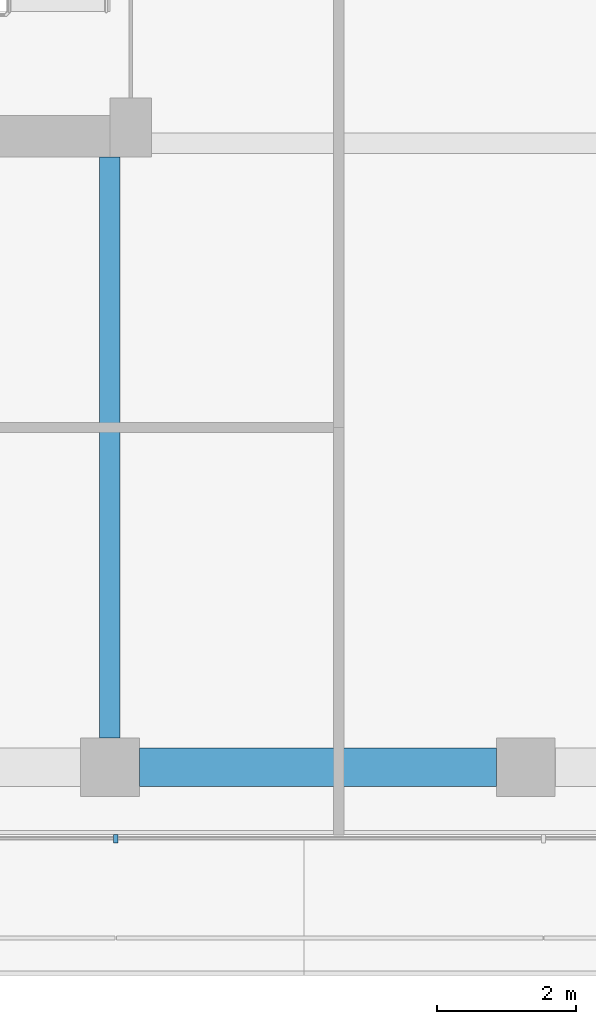
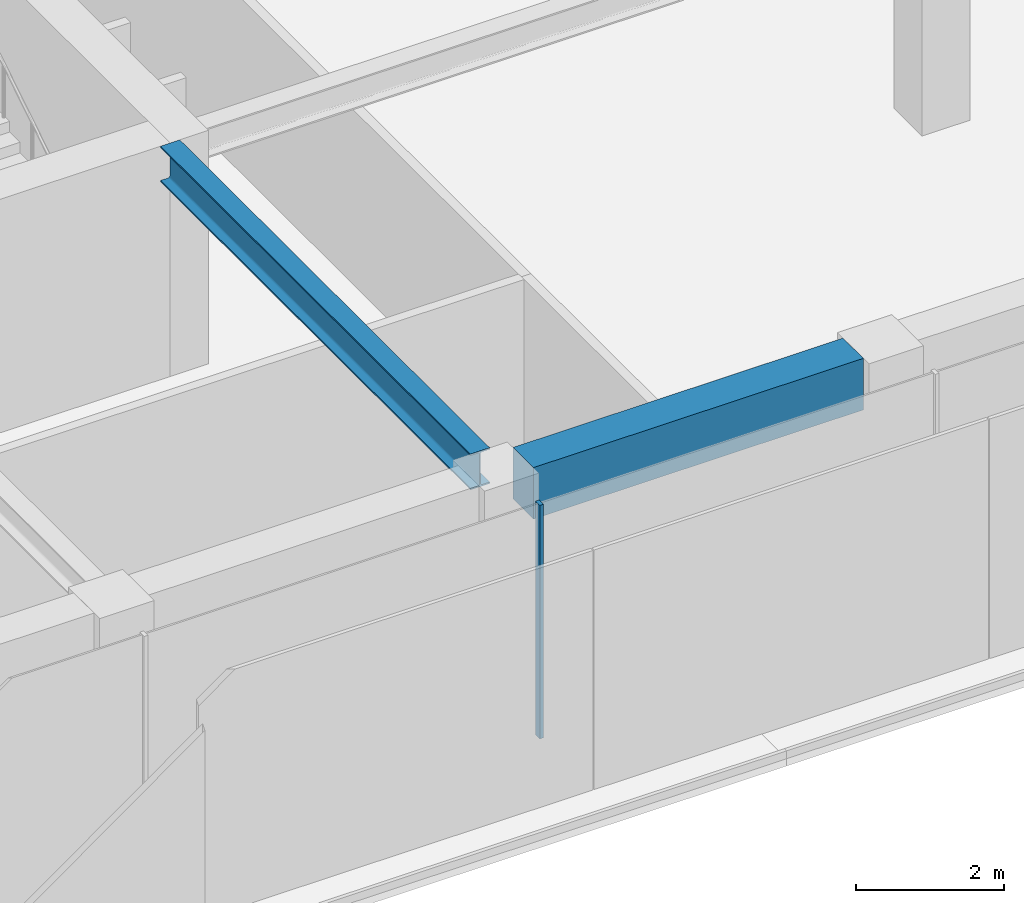
# One storey, part 4 of 21: 2 beams, 1 member, 1 element without a shape of its own.
"""IFC4 building model written with IfcOpenShell, lengths in metres."""

from ifc_helpers import new_model, si_unit, direction, frame, origin, origin_2d, place, context, subcontext, project, spatial, rectangle, i_section, extrude, material, layer, layer_set, material_profile, profile_set, type_object, element, aggregate, save


model = new_model("IFC4")

# Units and contexts
model_context = context("Model", 3, precision=1e-05, world=origin(), true_north=direction((0.0, 1.0)))
body_context = subcontext(model_context, "Body", "Model", "MODEL_VIEW")
ifc_project = project(units=[si_unit("LENGTHUNIT", "METRE"), si_unit("AREAUNIT", "SQUARE_METRE"), si_unit("VOLUMEUNIT", "CUBIC_METRE"), si_unit("PLANEANGLEUNIT", "RADIAN"), si_unit("MASSUNIT", "GRAM", prefix="KILO")], contexts=[model_context])

# Site, building, storey
site_placement = place(None, origin())
site = spatial("IfcSite", under=ifc_project, at=site_placement, CompositionType="ELEMENT")
building_placement = place(site_placement, origin())
building = spatial("IfcBuilding", under=site, at=building_placement, Name="Welwitschia Terrace Campus", CompositionType="ELEMENT")
storey_placement = place(building_placement, frame((0.0, 0.0, 184.39990234375)))
storey = spatial("IfcBuildingStorey", under=building, at=storey_placement, Name="L41", CompositionType="ELEMENT", Elevation=184.39990234375)

# Curtain wall, member
ifc_material_1 = material(Name="Bronze anodised aluminium", Category="aluminium")
ifc_layer = layer(ifc_material_1, 0.1201171875)
ifc_layer_set = layer_set([ifc_layer], Name="Bronze anodised aluminium")
curtain_wall_type = type_object("IfcCurtainWallType", Name="Curtain wall CW2 tower 6000", PredefinedType="NOTDEFINED", material=ifc_layer_set)
curtain_wall_placement = place(storey_placement, origin())
curtain_wall = element("IfcCurtainWall", 1, at=curtain_wall_placement, inside=storey, type_object=curtain_wall_type, Name="CW L41.1.0", PredefinedType="NOTDEFINED")
ifc_material_2 = material(Name="Bronze anodised aluminium", Category="aluminium")
ifc_material_profile_1 = material_profile(ifc_material_2, rectangle(XDim=0.1201171875, YDim=0.06005859375, at=origin_2d()))
ifc_profile_set_1 = profile_set([ifc_material_profile_1], Name="Bronze anodised aluminium")
member_type = type_object("IfcMemberType", Name="Mullion 60x120", PredefinedType="MULLION", material=ifc_profile_set_1)
member_placement = place(storey_placement, frame((24.08544921875, -5.030029296875, 0.0), z_axis=(0.0, 0.0, 1.0), x_axis=(0.0, 1.0, 0.0)))
member = element("IfcMember", 2, at=member_placement, type_object=member_type, Name="Mullion L41.1.0.3", PredefinedType="MULLION", context=body_context, shape_type="SweptSolid", body=[
    extrude(rectangle(XDim=0.1201171875, YDim=0.06005859375, at=origin_2d()), origin(), (0.0, 0.0, 1.0), 3.85009765625),
])
aggregate(curtain_wall, [member])

# Beams
ifc_material_3 = material(Name="Steel S355", Category="steel")
ifc_material_profile_2 = material_profile(ifc_material_3, i_section(OverallWidth=0.300048828125, OverallDepth=0.590087890625, WebThickness=0.012939453125, FlangeThickness=0.02490234375, FilletRadius=0.027099609375, at=origin_2d()))
ifc_profile_set_2 = profile_set([ifc_material_profile_2], Name="Steel S355")
beam_type_1 = type_object("IfcBeamType", Name="Primary beam HE 600 A", PredefinedType="BEAM", material=ifc_profile_set_2)
beam_1_placement = place(storey_placement, frame((24.0, -3.574462890625, 3.55517578125), z_axis=(0.0, 1.0, 0.0), x_axis=(-1.0, 0.0, 0.0)))
element("IfcBeam", 3, at=beam_1_placement, inside=storey, type_object=beam_type_1, Name="Primary beam PB4", PredefinedType="BEAM", context=body_context, shape_type="SweptSolid", body=[
    extrude(i_section(OverallWidth=0.300048828125, OverallDepth=0.590087890625, WebThickness=0.012939453125, FlangeThickness=0.02490234375, FilletRadius=0.027099609375, at=origin_2d()), origin(), (0.0, 0.0, 1.0), 8.37451171875),
])
ifc_material_4 = material(Name="Concrete C50/60", Category="concrete")
ifc_material_profile_3 = material_profile(ifc_material_4, rectangle(XDim=0.550048828125, YDim=0.85009765625, at=origin_2d()))
ifc_profile_set_3 = profile_set([ifc_material_profile_3], Name="Concrete C50/60")
beam_type_2 = type_object("IfcBeamType", Name="Ring spandrel 550x850", PredefinedType="SPANDREL", material=ifc_profile_set_3)
beam_2_placement = place(storey_placement, frame((24.425537109375, -4.0, 3.425048828125), z_axis=(1.0, 0.0, 0.0), x_axis=(0.0, 1.0, 0.0)))
element("IfcBeam", 4, at=beam_2_placement, inside=storey, type_object=beam_type_2, Name="Spandrel SP3", PredefinedType="SPANDREL", context=body_context, shape_type="SweptSolid", body=[
    extrude(rectangle(XDim=0.550048828125, YDim=0.85009765625, at=origin_2d()), origin(), (0.0, 0.0, 1.0), 5.14892578125),
])

save(model, "model.ifc")
